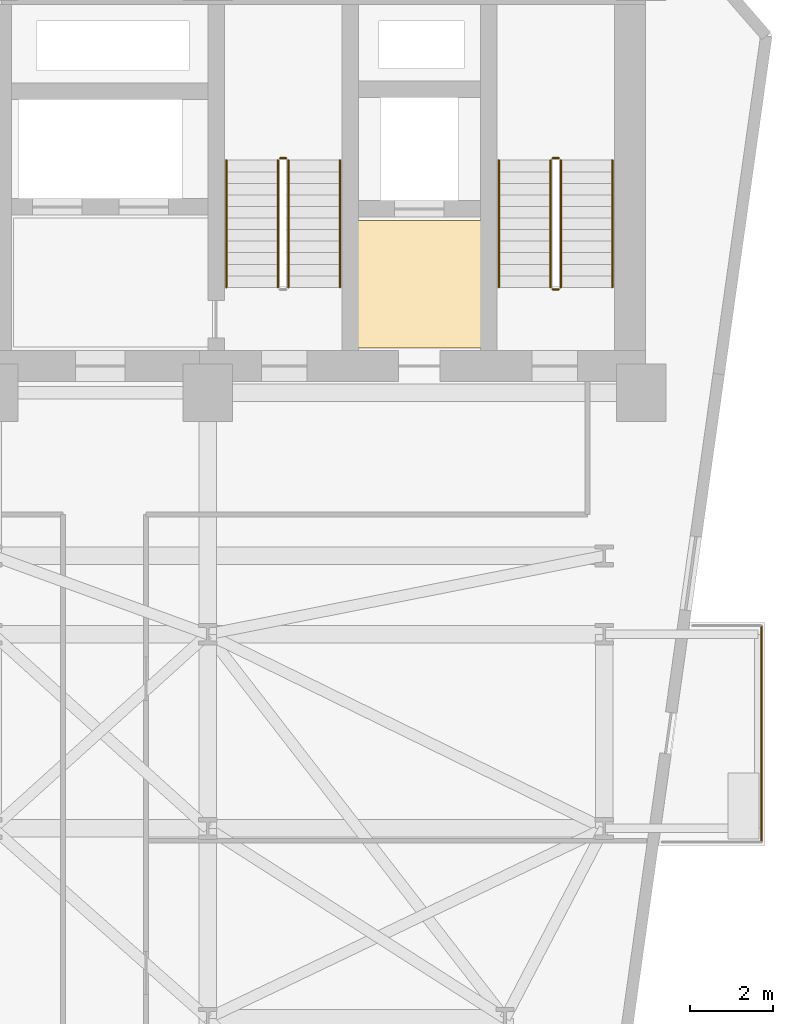
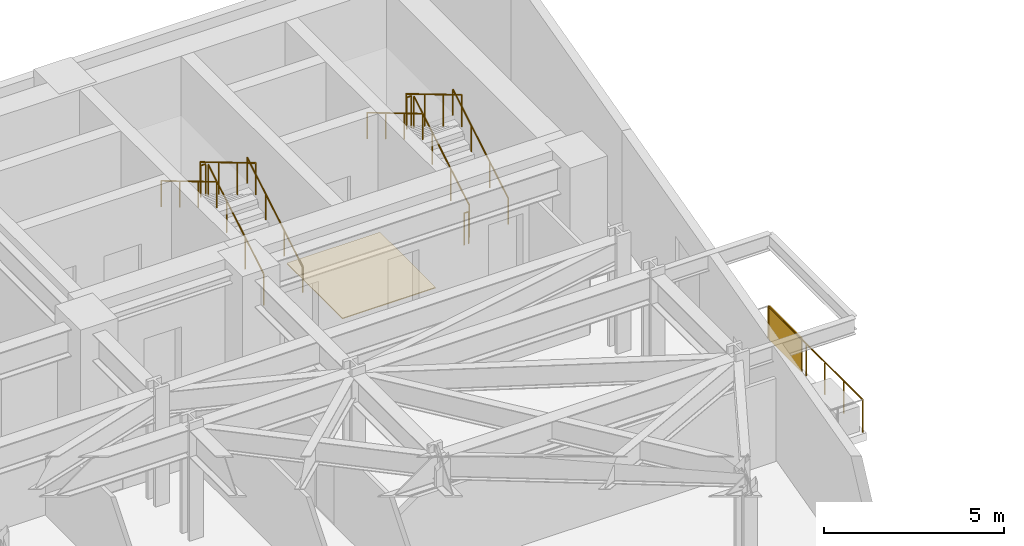
# One storey, part 24 of 24: 12 railings, 1 covering, 1 shading device.
"""IFC4 building model written with IfcOpenShell, lengths in metres."""

from ifc_helpers import new_model, si_unit, direction, frame, origin, origin_2d, place, context, subcontext, project, spatial, polyline, rectangle, circle, outline, extrude, material, layer, layer_set, type_object, element, save


model = new_model("IFC4")

# Units and contexts
model_context = context("Model", 3, precision=1e-05, world=origin(), true_north=direction((0.0, 1.0)))
body_context = subcontext(model_context, "Body", "Model", "MODEL_VIEW")
ifc_project = project(units=[si_unit("LENGTHUNIT", "METRE"), si_unit("AREAUNIT", "SQUARE_METRE"), si_unit("VOLUMEUNIT", "CUBIC_METRE"), si_unit("PLANEANGLEUNIT", "RADIAN"), si_unit("MASSUNIT", "GRAM", prefix="KILO")], contexts=[model_context])

# Site, building, storey
site_placement = place(None, origin())
site = spatial("IfcSite", under=ifc_project, at=site_placement, CompositionType="ELEMENT")
building_placement = place(site_placement, origin())
building = spatial("IfcBuilding", under=site, at=building_placement, Name="Kravanh Interchange Tower", CompositionType="ELEMENT")
storey_placement = place(building_placement, frame((0.0, 0.0, 53.5)))
storey = spatial("IfcBuildingStorey", under=building, at=storey_placement, Name="L12", CompositionType="ELEMENT", Elevation=53.5)

# Covering
ifc_material_1 = material(Name="Cementitious Terrazzo Tile")
ifc_layer_1 = layer(ifc_material_1, 0.030029296875)
ifc_layer_set_1 = layer_set([ifc_layer_1], Name="Honed Terrazzo Lobby Flooring 30mm")
covering_type = type_object("IfcCoveringType", Name="Honed Terrazzo Lobby Flooring 30mm", PredefinedType="FLOORING", material=ifc_layer_set_1)
covering_placement = place(storey_placement, origin())
element("IfcCovering", 1, at=covering_placement, inside=storey, type_object=covering_type, Name="L12 Service Lift Lobby Floor Finish", PredefinedType="FLOORING", context=body_context, shape_type="SweptSolid", body=[
    extrude(outline(polyline([(59.6298828125, 41.52001953125), (62.6201171875, 41.52001953125), (62.6201171875, 38.429931640625), (59.6298828125, 38.429931640625), (59.6298828125, 41.52001953125)])), origin(), (0.0, 0.0, 1.0), 0.030029296875),
])

# Shading device
ifc_material_2 = material(Name="Perforated Anodised Bronze Aluminium", Category="aluminium")
ifc_layer_2 = layer(ifc_material_2, 0.0400390625)
ifc_layer_set_2 = layer_set([ifc_layer_2], Name="Perforated Bronze Balcony Privacy Screen 1150mm")
shading_device_type = type_object("IfcShadingDeviceType", Name="Perforated Bronze Balcony Privacy Screen 1150mm", PredefinedType="USERDEFINED", material=ifc_layer_set_2)
shading_device_placement = place(storey_placement, frame((69.409912109375, 30.739990234375, 0.0), z_axis=(0.0, 0.0, 1.0), x_axis=(1.0, 0.0, 0.0)))
element("IfcShadingDevice", 2, at=shading_device_placement, inside=storey, type_object=shading_device_type, Name="L12 E Perforated Bronze BALCONY SCREEN", ObjectType="SCREEN", PredefinedType="USERDEFINED", context=body_context, shape_type="SweptSolid", body=[
    extrude(rectangle(XDim=0.0400390625, YDim=1.800048828125, at=origin_2d()), origin(), (0.0, 0.0, 1.0), 1.14990234375),
])

# Railings
ifc_material_3 = material(Name="Stainless Steel 316", Category="steel")
ifc_layer_3 = layer(ifc_material_3, 0.06005859375)
ifc_layer_set_3 = layer_set([ifc_layer_3], Name="Perimeter Balcony and Terrace Guardrail Stainless 316 1120mm")
railing_type_1 = type_object("IfcRailingType", Name="Perimeter Balcony and Terrace Guardrail Stainless 316 1120mm", PredefinedType="GUARDRAIL", material=ifc_layer_set_3)
railing_1_placement = place(storey_placement, frame((69.409912109375, 31.7099609375, 0.0)))
element("IfcRailing", 3, at=railing_1_placement, inside=storey, type_object=railing_type_1, Name="L12 E Balcony Guardrail 1", PredefinedType="GUARDRAIL", context=body_context, shape_type="SweptSolid", body=[
    extrude(circle(Radius=0.02392578125, at=origin_2d()), frame((0.0, 0.0, 1.09619140625), z_axis=(0.0, -1.0, 0.0), x_axis=(1.0, 0.0, 0.0)), (0.0, 0.0, 1.0), 5.239990234375),
    extrude(circle(Radius=0.02099609375, at=origin_2d()), origin(), (0.0, 0.0, 1.0), 1.072021484375),
    extrude(circle(Radius=0.02099609375, at=origin_2d()), frame((0.0, -1.048095703125, 0.0)), (0.0, 0.0, 1.0), 1.072021484375),
    extrude(circle(Radius=0.02099609375, at=origin_2d()), frame((0.0, -2.095947265625, 0.0)), (0.0, 0.0, 1.0), 1.072021484375),
    extrude(circle(Radius=0.02099609375, at=origin_2d()), frame((0.0, -3.14404296875, 0.0)), (0.0, 0.0, 1.0), 1.072021484375),
    extrude(circle(Radius=0.02099609375, at=origin_2d()), frame((0.0, -4.19189453125, 0.0)), (0.0, 0.0, 1.0), 1.072021484375),
    extrude(circle(Radius=0.02099609375, at=origin_2d()), frame((0.0, -5.239990234375, 0.0)), (0.0, 0.0, 1.0), 1.072021484375),
])
ifc_material_4 = material(Name="Structural Steel S355", Category="steel")
ifc_layer_4 = layer(ifc_material_4, 0.050048828125)
ifc_layer_set_4 = layer_set([ifc_layer_4], Name="Stair Well Guardrail Structural Steel S355 1100mm")
railing_type_2 = type_object("IfcRailingType", Name="Stair Well Guardrail Structural Steel S355 1100mm", PredefinedType="GUARDRAIL", material=ifc_layer_set_4)
railing_2_placement = place(storey_placement, frame((64.550048828125, 39.89990234375, 0.166748046875)))
element("IfcRailing", 4, at=railing_2_placement, inside=storey, type_object=railing_type_2, Name="L12 ST1 stair guard 1", PredefinedType="GUARDRAIL", context=body_context, shape_type="SweptSolid", body=[
    extrude(circle(Radius=0.02392578125, at=origin_2d()), frame((0.0, 0.0, 1.076171875), z_axis=(0.0, 0.859308565015, 0.511457515432), x_axis=(-1.0, 0.0, 0.0)), (0.0, 0.0, 1.0), 3.58447265625),
    extrude(circle(Radius=0.02099609375, at=origin_2d()), origin(), (0.0, 0.0, 1.0), 1.052001953125),
    extrude(circle(Radius=0.02099609375, at=origin_2d()), frame((0.0, 1.026611328125, 0.611083984375)), (0.0, 0.0, 1.0), 1.052001953125),
    extrude(circle(Radius=0.02099609375, at=origin_2d()), frame((0.0, 2.053466796875, 1.22216796875)), (0.0, 0.0, 1.0), 1.052001953125),
    extrude(circle(Radius=0.02099609375, at=origin_2d()), frame((0.0, 3.080078125, 1.833251953125)), (0.0, 0.0, 1.0), 1.052001953125),
])
railing_3_placement = place(storey_placement, frame((64.5, 43.030029296875, 2.0)))
element("IfcRailing", 5, at=railing_3_placement, inside=storey, type_object=railing_type_2, Name="L12 ST1 stair guard 2", PredefinedType="GUARDRAIL", context=body_context, shape_type="SweptSolid", body=[
    extrude(circle(Radius=0.02392578125, at=origin_2d()), frame((0.0, 0.0, 1.076171875), z_axis=(-1.0, 0.0, 0.0), x_axis=(0.0, -1.0, 0.0)), (0.0, 0.0, 1.0), 0.14990234375),
    extrude(circle(Radius=0.02099609375, at=origin_2d()), origin(), (0.0, 0.0, 1.0), 1.052001953125),
    extrude(circle(Radius=0.02099609375, at=origin_2d()), frame((-0.14990234375, 0.0, 0.0)), (0.0, 0.0, 1.0), 1.052001953125),
])
railing_4_placement = place(storey_placement, frame((64.300048828125, 42.97998046875, 2.166748046875)))
element("IfcRailing", 6, at=railing_4_placement, inside=storey, type_object=railing_type_2, Name="L12 ST1 stair guard 3", PredefinedType="GUARDRAIL", context=body_context, shape_type="SweptSolid", body=[
    extrude(circle(Radius=0.02392578125, at=origin_2d()), frame((0.0, 0.0, 1.076171875), z_axis=(0.0, -0.859308565015, 0.511457515432), x_axis=(1.0, 0.0, 0.0)), (0.0, 0.0, 1.0), 3.58447265625),
    extrude(circle(Radius=0.02099609375, at=origin_2d()), origin(), (0.0, 0.0, 1.0), 1.052001953125),
    extrude(circle(Radius=0.02099609375, at=origin_2d()), frame((0.0, -1.026611328125, 0.611083984375)), (0.0, 0.0, 1.0), 1.052001953125),
    extrude(circle(Radius=0.02099609375, at=origin_2d()), frame((0.0, -2.053466796875, 1.22216796875)), (0.0, 0.0, 1.0), 1.052001953125),
    extrude(circle(Radius=0.02099609375, at=origin_2d()), frame((0.0, -3.080078125, 1.833251953125)), (0.0, 0.0, 1.0), 1.052001953125),
])
railing_5_placement = place(storey_placement, frame((64.5, 39.85009765625, 0.0)))
element("IfcRailing", 7, at=railing_5_placement, inside=storey, type_object=railing_type_2, Name="L12 ST1 stair guard 4", PredefinedType="GUARDRAIL", context=body_context, shape_type="SweptSolid", body=[
    extrude(circle(Radius=0.02392578125, at=origin_2d()), frame((0.0, 0.0, 1.076171875), z_axis=(-1.0, 0.0, 0.0), x_axis=(0.0, -1.0, 0.0)), (0.0, 0.0, 1.0), 0.14990234375),
    extrude(circle(Radius=0.02099609375, at=origin_2d()), origin(), (0.0, 0.0, 1.0), 1.052001953125),
    extrude(circle(Radius=0.02099609375, at=origin_2d()), frame((-0.14990234375, 0.0, 0.0)), (0.0, 0.0, 1.0), 1.052001953125),
])
railing_6_placement = place(storey_placement, frame((57.949951171875, 39.89990234375, 0.166748046875)))
element("IfcRailing", 8, at=railing_6_placement, inside=storey, type_object=railing_type_2, Name="L12 ST2 stair guard 1", PredefinedType="GUARDRAIL", context=body_context, shape_type="SweptSolid", body=[
    extrude(circle(Radius=0.02392578125, at=origin_2d()), frame((0.0, 0.0, 1.076171875), z_axis=(0.0, 0.859308565015, 0.511457515432), x_axis=(-1.0, 0.0, 0.0)), (0.0, 0.0, 1.0), 3.58447265625),
    extrude(circle(Radius=0.02099609375, at=origin_2d()), origin(), (0.0, 0.0, 1.0), 1.052001953125),
    extrude(circle(Radius=0.02099609375, at=origin_2d()), frame((0.0, 1.026611328125, 0.611083984375)), (0.0, 0.0, 1.0), 1.052001953125),
    extrude(circle(Radius=0.02099609375, at=origin_2d()), frame((0.0, 2.053466796875, 1.22216796875)), (0.0, 0.0, 1.0), 1.052001953125),
    extrude(circle(Radius=0.02099609375, at=origin_2d()), frame((0.0, 3.080078125, 1.833251953125)), (0.0, 0.0, 1.0), 1.052001953125),
])
railing_7_placement = place(storey_placement, frame((57.89990234375, 43.030029296875, 2.0)))
element("IfcRailing", 9, at=railing_7_placement, inside=storey, type_object=railing_type_2, Name="L12 ST2 stair guard 2", PredefinedType="GUARDRAIL", context=body_context, shape_type="SweptSolid", body=[
    extrude(circle(Radius=0.02392578125, at=origin_2d()), frame((0.0, 0.0, 1.076171875), z_axis=(-1.0, 0.0, 0.0), x_axis=(0.0, -1.0, 0.0)), (0.0, 0.0, 1.0), 0.14990234375),
    extrude(circle(Radius=0.02099609375, at=origin_2d()), origin(), (0.0, 0.0, 1.0), 1.052001953125),
    extrude(circle(Radius=0.02099609375, at=origin_2d()), frame((-0.14990234375, 0.0, 0.0)), (0.0, 0.0, 1.0), 1.052001953125),
])
railing_8_placement = place(storey_placement, frame((57.699951171875, 42.97998046875, 2.166748046875)))
element("IfcRailing", 10, at=railing_8_placement, inside=storey, type_object=railing_type_2, Name="L12 ST2 stair guard 3", PredefinedType="GUARDRAIL", context=body_context, shape_type="SweptSolid", body=[
    extrude(circle(Radius=0.02392578125, at=origin_2d()), frame((0.0, 0.0, 1.076171875), z_axis=(0.0, -0.859308565015, 0.511457515432), x_axis=(1.0, 0.0, 0.0)), (0.0, 0.0, 1.0), 3.58447265625),
    extrude(circle(Radius=0.02099609375, at=origin_2d()), origin(), (0.0, 0.0, 1.0), 1.052001953125),
    extrude(circle(Radius=0.02099609375, at=origin_2d()), frame((0.0, -1.026611328125, 0.611083984375)), (0.0, 0.0, 1.0), 1.052001953125),
    extrude(circle(Radius=0.02099609375, at=origin_2d()), frame((0.0, -2.053466796875, 1.22216796875)), (0.0, 0.0, 1.0), 1.052001953125),
    extrude(circle(Radius=0.02099609375, at=origin_2d()), frame((0.0, -3.080078125, 1.833251953125)), (0.0, 0.0, 1.0), 1.052001953125),
])
ifc_material_5 = material(Name="Stainless Steel 304", Category="steel")
ifc_layer_5 = layer(ifc_material_5, 0.044921875)
ifc_layer_set_5 = layer_set([ifc_layer_5], Name="Tubular Stair Handrail Stainless 304 900mm")
railing_type_3 = type_object("IfcRailingType", Name="Tubular Stair Handrail Stainless 304 900mm", PredefinedType="HANDRAIL", material=ifc_layer_set_5)
railing_9_placement = place(storey_placement, frame((65.800048828125, 39.89990234375, 0.166748046875)))
element("IfcRailing", 11, at=railing_9_placement, inside=storey, type_object=railing_type_3, Name="L12 ST1 stair handrail 1", PredefinedType="HANDRAIL", context=body_context, shape_type="SweptSolid", body=[
    extrude(circle(Radius=0.02392578125, at=origin_2d()), frame((0.0, 0.0, 0.8759765625), z_axis=(0.0, 0.859308565015, 0.511457515432), x_axis=(-1.0, 0.0, 0.0)), (0.0, 0.0, 1.0), 3.58447265625),
    extrude(circle(Radius=0.02099609375, at=origin_2d()), origin(), (0.0, 0.0, 1.0), 0.851806640625),
    extrude(circle(Radius=0.02099609375, at=origin_2d()), frame((0.0, 1.026611328125, 0.611083984375)), (0.0, 0.0, 1.0), 0.851806640625),
    extrude(circle(Radius=0.02099609375, at=origin_2d()), frame((0.0, 2.053466796875, 1.22216796875)), (0.0, 0.0, 1.0), 0.851806640625),
    extrude(circle(Radius=0.02099609375, at=origin_2d()), frame((0.0, 3.080078125, 1.833251953125)), (0.0, 0.0, 1.0), 0.851806640625),
])
railing_10_placement = place(storey_placement, frame((63.050048828125, 42.97998046875, 2.166748046875)))
element("IfcRailing", 12, at=railing_10_placement, inside=storey, type_object=railing_type_3, Name="L12 ST1 stair handrail 2", PredefinedType="HANDRAIL", context=body_context, shape_type="SweptSolid", body=[
    extrude(circle(Radius=0.02392578125, at=origin_2d()), frame((0.0, 0.0, 0.8759765625), z_axis=(0.0, -0.859308565015, 0.511457515432), x_axis=(1.0, 0.0, 0.0)), (0.0, 0.0, 1.0), 3.58447265625),
    extrude(circle(Radius=0.02099609375, at=origin_2d()), origin(), (0.0, 0.0, 1.0), 0.851806640625),
    extrude(circle(Radius=0.02099609375, at=origin_2d()), frame((0.0, -1.026611328125, 0.611083984375)), (0.0, 0.0, 1.0), 0.851806640625),
    extrude(circle(Radius=0.02099609375, at=origin_2d()), frame((0.0, -2.053466796875, 1.22216796875)), (0.0, 0.0, 1.0), 0.851806640625),
    extrude(circle(Radius=0.02099609375, at=origin_2d()), frame((0.0, -3.080078125, 1.833251953125)), (0.0, 0.0, 1.0), 0.851806640625),
])
railing_11_placement = place(storey_placement, frame((59.199951171875, 39.89990234375, 0.166748046875)))
element("IfcRailing", 13, at=railing_11_placement, inside=storey, type_object=railing_type_3, Name="L12 ST2 stair handrail 1", PredefinedType="HANDRAIL", context=body_context, shape_type="SweptSolid", body=[
    extrude(circle(Radius=0.02392578125, at=origin_2d()), frame((0.0, 0.0, 0.8759765625), z_axis=(0.0, 0.859308565015, 0.511457515432), x_axis=(-1.0, 0.0, 0.0)), (0.0, 0.0, 1.0), 3.58447265625),
    extrude(circle(Radius=0.02099609375, at=origin_2d()), origin(), (0.0, 0.0, 1.0), 0.851806640625),
    extrude(circle(Radius=0.02099609375, at=origin_2d()), frame((0.0, 1.026611328125, 0.611083984375)), (0.0, 0.0, 1.0), 0.851806640625),
    extrude(circle(Radius=0.02099609375, at=origin_2d()), frame((0.0, 2.053466796875, 1.22216796875)), (0.0, 0.0, 1.0), 0.851806640625),
    extrude(circle(Radius=0.02099609375, at=origin_2d()), frame((0.0, 3.080078125, 1.833251953125)), (0.0, 0.0, 1.0), 0.851806640625),
])
railing_12_placement = place(storey_placement, frame((56.449951171875, 42.97998046875, 2.166748046875)))
element("IfcRailing", 14, at=railing_12_placement, inside=storey, type_object=railing_type_3, Name="L12 ST2 stair handrail 2", PredefinedType="HANDRAIL", context=body_context, shape_type="SweptSolid", body=[
    extrude(circle(Radius=0.02392578125, at=origin_2d()), frame((0.0, 0.0, 0.8759765625), z_axis=(0.0, -0.859308565015, 0.511457515432), x_axis=(1.0, 0.0, 0.0)), (0.0, 0.0, 1.0), 3.58447265625),
    extrude(circle(Radius=0.02099609375, at=origin_2d()), origin(), (0.0, 0.0, 1.0), 0.851806640625),
    extrude(circle(Radius=0.02099609375, at=origin_2d()), frame((0.0, -1.026611328125, 0.611083984375)), (0.0, 0.0, 1.0), 0.851806640625),
    extrude(circle(Radius=0.02099609375, at=origin_2d()), frame((0.0, -2.053466796875, 1.22216796875)), (0.0, 0.0, 1.0), 0.851806640625),
    extrude(circle(Radius=0.02099609375, at=origin_2d()), frame((0.0, -3.080078125, 1.833251953125)), (0.0, 0.0, 1.0), 0.851806640625),
])

save(model, "model.ifc")
